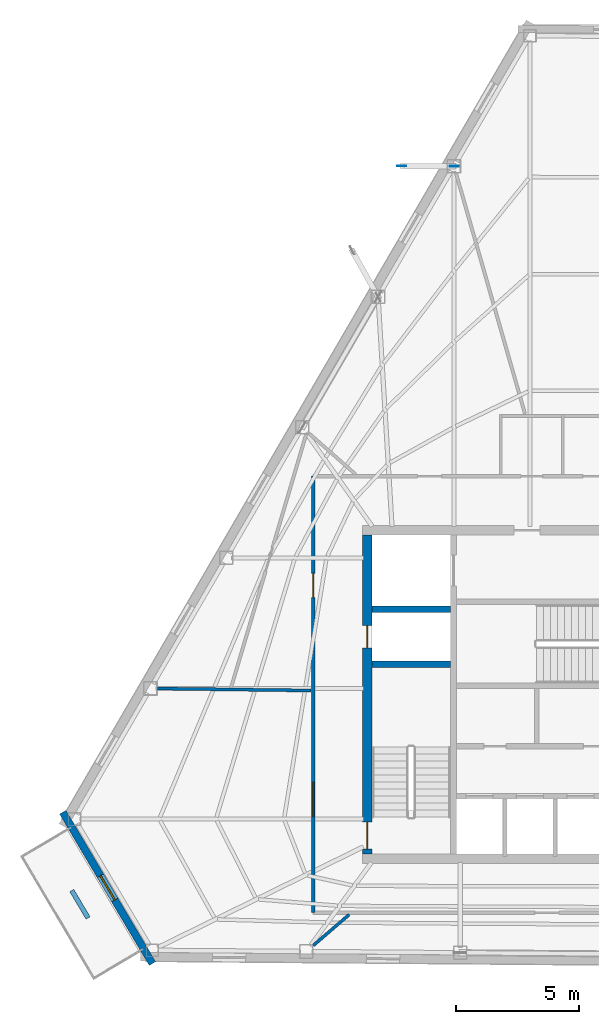
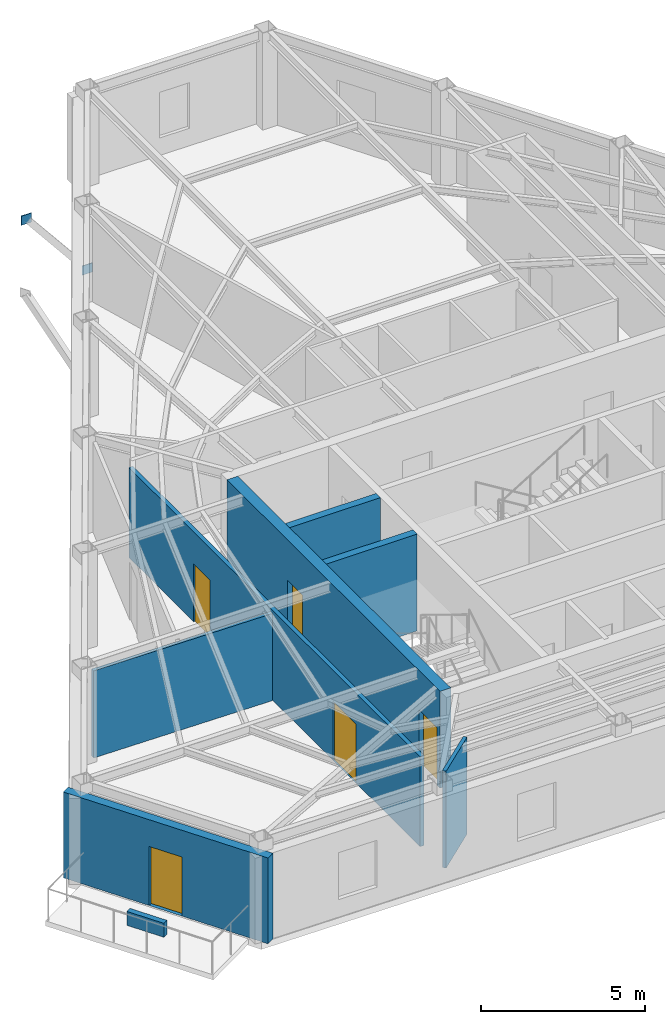
# One storey, part 6 of 10: 8 walls, 5 doors, 2 plates, 5 openings.
"""IFC4 building model written with IfcOpenShell, lengths in metres."""

from ifc_helpers import new_model, si_unit, direction, frame, frame_2d, origin, origin_2d, place, context, subcontext, project, spatial, rectangle, extrude, material, layer, layer_set, type_object, element, fill, save


model = new_model("IFC4")

# Units and contexts
model_context = context("Model", 3, precision=1e-05, world=origin(), true_north=direction((0.0, 1.0)))
body_context = subcontext(model_context, "Body", "Model", "MODEL_VIEW")
ifc_project = project(units=[si_unit("LENGTHUNIT", "METRE"), si_unit("AREAUNIT", "SQUARE_METRE"), si_unit("VOLUMEUNIT", "CUBIC_METRE"), si_unit("PLANEANGLEUNIT", "RADIAN"), si_unit("MASSUNIT", "GRAM", prefix="KILO")], contexts=[model_context])

# Site, building, storey
site_placement = place(None, origin())
site = spatial("IfcSite", under=ifc_project, at=site_placement, CompositionType="ELEMENT")
building_placement = place(site_placement, origin())
building = spatial("IfcBuilding", under=site, at=building_placement, Name="Kavelnor Concourse Tower", CompositionType="ELEMENT")
storey_placement = place(building_placement, frame((0.0, 0.0, 266.449951171875)))
storey = spatial("IfcBuildingStorey", under=building, at=storey_placement, Name="L67", CompositionType="ELEMENT", Elevation=266.449951171875)

# Plates
ifc_material_1 = material(Name="Steel Grade 350", Category="steel")
ifc_layer_1 = layer(ifc_material_1, 0.028076171875, Name="Steel Grade 350")
ifc_layer_set_1 = layer_set([ifc_layer_1], Name="Steel Grade 350")
plate_type = type_object("IfcPlateType", Name="PL-GUSSET-FOLD", PredefinedType="USERDEFINED", material=ifc_layer_set_1)
for number, where, z_axis, x_axis, name in (
    (1, (31.8408203125, 37.618896484375, 0.8798828125), (0.0, 0.0, 1.0), (-0.999995065202, 0.003141587486, 0.0), "L67 Balcony Strut Gusset GP4 2-A End Gusset A"),
    (2, (29.698974609375, 37.625732421875, 3.48486328125), (0.0, 0.0, 1.0), (-0.999995065202, 0.003141587486, 0.0), "L67 Balcony Strut Gusset GP4 2-A End Gusset B"),
):
    element("IfcPlate", number, at=place(storey_placement, frame(where, z_axis=z_axis, x_axis=x_axis)), inside=storey, type_object=plate_type, Name=name, ObjectType="GUSSET_PLATE", PredefinedType="USERDEFINED", context=body_context, shape_type="SweptSolid", body=[
        extrude(rectangle(XDim=0.360107421875, YDim=0.028076171875, at=origin_2d()), origin(), (0.0, 0.0, 1.0), 0.340087890625),
    ])

# Wall, openings, doors
ifc_material_2 = material(Name="Concrete C50/60", Category="concrete")
ifc_layer_2 = layer(ifc_material_2, 0.3798828125, Name="Concrete C50/60")
ifc_layer_set_2 = layer_set([ifc_layer_2], Name="Concrete C50/60")
wall_type_1 = type_object("IfcWallType", Name="WL-CORE-Z4-380", PredefinedType="SOLIDWALL", material=ifc_layer_set_2)
wall_1_placement = place(storey_placement, frame((28.2900390625, 9.60009765625, 0.0), z_axis=(0.0, 0.0, 1.0), x_axis=(0.0, 1.0, 0.0)))
wall_1 = element("IfcWall", 3, at=wall_1_placement, inside=storey, type_object=wall_type_1, Name="L67 Central Core West Shear Wall", PredefinedType="SOLIDWALL", context=body_context, shape_type="SweptSolid", body=[
    extrude(rectangle(XDim=13.0, YDim=0.3798828125, at=frame_2d((6.5, 0.0))), origin(), (0.0, 0.0, 1.0), 3.610107421875),
])
opening_1_placement = place(wall_1_placement, frame((0.199951171875, 0.0, 0.0)))
opening_1 = element("IfcOpeningElement", 4, at=opening_1_placement, cuts=wall_1, Name="Opening FD-110", PredefinedType="OPENING", context=body_context, shape_type="SweptSolid", body=[
    extrude(rectangle(XDim=1.10009765625, YDim=2.14990234375, at=frame_2d((0.550048828125, 1.074951171875))), frame((0.0, 0.199951171875, 0.0), z_axis=(0.0, -1.0, 0.0), x_axis=(1.0, 0.0, 0.0)), (0.0, 0.0, 1.0), 0.39990234375),
])
opening_2_placement = place(wall_1_placement, frame((8.39990234375, 0.0, 0.0)))
opening_2 = element("IfcOpeningElement", 5, at=opening_2_placement, cuts=wall_1, Name="Opening FD-090", PredefinedType="OPENING", context=body_context, shape_type="SweptSolid", body=[
    extrude(rectangle(XDim=0.89990234375, YDim=2.10009765625, at=frame_2d((0.449951171875, 1.050048828125))), frame((0.0, 0.199951171875, 0.0), z_axis=(0.0, -1.0, 0.0), x_axis=(1.0, 0.0, 0.0)), (0.0, 0.0, 1.0), 0.39990234375),
])
door_type_1 = type_object("IfcDoorType", Name="DR-RISER-FIRE-900", OperationType="NOTDEFINED", PredefinedType="DOOR", material=ifc_material_1)
door_1_placement = place(opening_2_placement, origin())
door_1 = element("IfcDoor", 6, at=door_1_placement, inside=storey, type_object=door_type_1, Name="L67 West Riser Access Door", OperationType="SINGLE_SWING_RIGHT", OverallHeight=2.10009765625, OverallWidth=0.89990234375, PredefinedType="DOOR", context=body_context, shape_type="SweptSolid", body=[
    extrude(rectangle(XDim=0.89990234375, YDim=2.10009765625, at=frame_2d((0.449951171875, 1.050048828125))), frame((0.0, 0.02490234375, 0.0), z_axis=(0.0, -1.0, 0.0), x_axis=(1.0, 0.0, 0.0)), (0.0, 0.0, 1.0), 0.050048828125),
])
fill(opening_2, door_1)
door_type_2 = type_object("IfcDoorType", Name="DR-STAIR-FIRE-1100", OperationType="NOTDEFINED", PredefinedType="DOOR", material=ifc_material_1)
door_2_placement = place(opening_1_placement, origin())
door_2 = element("IfcDoor", 7, at=door_2_placement, inside=storey, type_object=door_type_2, Name="L67 Stair ST1 Fire Door", OperationType="SINGLE_SWING_LEFT", OverallHeight=2.14990234375, OverallWidth=1.10009765625, PredefinedType="DOOR", context=body_context, shape_type="SweptSolid", body=[
    extrude(rectangle(XDim=1.10009765625, YDim=2.14990234375, at=frame_2d((0.550048828125, 1.074951171875))), frame((0.0, 0.02490234375, 0.0), z_axis=(0.0, -1.0, 0.0), x_axis=(1.0, 0.0, 0.0)), (0.0, 0.0, 1.0), 0.050048828125),
])
fill(opening_1, door_2)

# Wall, opening, door
ifc_material_3 = material(Name="Buff ironspot clay face brick masonry", Category="masonry")
ifc_layer_3 = layer(ifc_material_3, 0.300048828125, Name="Buff ironspot clay face brick masonry")
ifc_layer_set_3 = layer_set([ifc_layer_3], Name="Buff ironspot clay face brick masonry")
wall_type_2 = type_object("IfcWallType", Name="WL-EXT-BUFF-BRICK-FOLD-300", PredefinedType="STANDARD", material=ifc_layer_set_3)
wall_2_placement = place(storey_placement, frame((19.543701171875, 5.13427734375, 0.0), z_axis=(0.0, 0.0, 1.0), x_axis=(-0.509478402486, 0.860483444001, 0.0)))
wall_2 = element("IfcWall", 8, at=wall_2_placement, inside=storey, type_object=wall_type_2, Name="L67 Exterior Brick Facade Wall E2", PredefinedType="STANDARD", context=body_context, shape_type="SweptSolid", body=[
    extrude(rectangle(XDim=7.168212890625, YDim=0.300048828125, at=frame_2d((3.583984375, 0.0))), origin(), (0.0, 0.0, 1.0), 3.196044921875),
])
opening_3_placement = place(wall_2_placement, frame((3.00927734375, 0.0, 0.0)))
opening_3 = element("IfcOpeningElement", 9, at=opening_3_placement, cuts=wall_2, Name="Opening TD-115", PredefinedType="OPENING", context=body_context, shape_type="SweptSolid", body=[
    extrude(rectangle(XDim=1.14990234375, YDim=2.199951171875, at=frame_2d((0.574951171875, 1.10009765625))), frame((0.0, 0.16015625, 0.0), z_axis=(0.0, -1.0, 0.0), x_axis=(1.0, 0.0, 0.0)), (0.0, 0.0, 1.0), 0.320068359375),
])
ifc_material_4 = material(Name="Anodised aluminium 6063-T6", Category="aluminium")
door_type_3 = type_object("IfcDoorType", Name="DR-TERRACE-EXT-1150", OperationType="NOTDEFINED", PredefinedType="DOOR", material=ifc_material_4)
door_3_placement = place(opening_3_placement, origin())
door_3 = element("IfcDoor", 10, at=door_3_placement, inside=storey, type_object=door_type_3, Name="L67 Spiral Sky Terrace Access Door", OperationType="SINGLE_SWING_RIGHT", OverallHeight=2.199951171875, OverallWidth=1.14990234375, PredefinedType="DOOR", context=body_context, shape_type="SweptSolid", body=[
    extrude(rectangle(XDim=1.14990234375, YDim=2.199951171875, at=frame_2d((0.574951171875, 1.10009765625))), frame((0.0, 0.02490234375, 0.0), z_axis=(0.0, -1.0, 0.0), x_axis=(1.0, 0.0, 0.0)), (0.0, 0.0, 1.0), 0.050048828125),
])
fill(opening_3, door_3)

# Wall, openings, doors
ifc_material_5 = material(Name="Gypsum plasterboard on light-gauge steel studs", Category="steel")
ifc_layer_4 = layer(ifc_material_5, 0.14501953125, Name="Gypsum plasterboard on light-gauge steel studs")
ifc_layer_set_4 = layer_set([ifc_layer_4], Name="Gypsum plasterboard on light-gauge steel studs")
wall_type_3 = type_object("IfcWallType", Name="WL-INT-CORR-145", PredefinedType="PARTITIONING", material=ifc_layer_set_4)
wall_3_placement = place(storey_placement, frame((26.090087890625, 7.2099609375, 0.0), z_axis=(0.0, 0.0, 1.0), x_axis=(0.0, 1.0, 0.0)))
wall_3 = element("IfcWall", 11, at=wall_3_placement, inside=storey, type_object=wall_type_3, Name="L67 Corridor Wall WL-L67-CR-10", PredefinedType="PARTITIONING", context=body_context, shape_type="SweptSolid", body=[
    extrude(rectangle(XDim=17.780029296875, YDim=0.14501953125, at=frame_2d((8.89013671875, 0.0))), origin(), (0.0, 0.0, 1.0), 3.34912109375),
])
opening_4_placement = place(wall_3_placement, frame((12.83837890625, 0.0, 0.0)))
opening_4 = element("IfcOpeningElement", 12, at=opening_4_placement, cuts=wall_3, Name="Opening OD-098", PredefinedType="OPENING", context=body_context, shape_type="SweptSolid", body=[
    extrude(rectangle(XDim=0.97998046875, YDim=2.14990234375, at=frame_2d((0.489990234375, 1.074951171875))), frame((0.0, 0.08251953125, 0.0), z_axis=(0.0, -1.0, 0.0), x_axis=(1.0, 0.0, 0.0)), (0.0, 0.0, 1.0), 0.1650390625),
])
opening_5_placement = place(wall_3_placement, frame((3.90966796875, 0.0, 0.0)))
opening_5 = element("IfcOpeningElement", 13, at=opening_5_placement, cuts=wall_3, Name="Opening SD-140", PredefinedType="OPENING", context=body_context, shape_type="SweptSolid", body=[
    extrude(rectangle(XDim=1.39990234375, YDim=2.199951171875, at=frame_2d((0.699951171875, 1.10009765625))), frame((0.0, 0.08251953125, 0.0), z_axis=(0.0, -1.0, 0.0), x_axis=(1.0, 0.0, 0.0)), (0.0, 0.0, 1.0), 0.1650390625),
])
ifc_material_6 = material(Name="Solid-core hardwood timber", Category="wood")
door_type_4 = type_object("IfcDoorType", Name="DR-OFFICE-980", OperationType="NOTDEFINED", PredefinedType="DOOR", material=ifc_material_6)
door_4_placement = place(opening_4_placement, origin())
door_4 = element("IfcDoor", 14, at=door_4_placement, inside=storey, type_object=door_type_4, Name="L67 Client Concierge 04 Door", OperationType="SINGLE_SWING_RIGHT", OverallHeight=2.14990234375, OverallWidth=0.97998046875, PredefinedType="DOOR", context=body_context, shape_type="SweptSolid", body=[
    extrude(rectangle(XDim=0.97998046875, YDim=2.14990234375, at=frame_2d((0.489990234375, 1.074951171875))), frame((0.0, 0.02490234375, 0.0), z_axis=(0.0, -1.0, 0.0), x_axis=(1.0, 0.0, 0.0)), (0.0, 0.0, 1.0), 0.050048828125),
])
fill(opening_4, door_4)
door_type_5 = type_object("IfcDoorType", Name="DR-SUITE-ENTRY-1400", OperationType="NOTDEFINED", PredefinedType="DOOR", material=ifc_material_6)
door_5_placement = place(opening_5_placement, origin())
door_5 = element("IfcDoor", 15, at=door_5_placement, inside=storey, type_object=door_type_5, Name="L67 Client Concierge 06 Door", OperationType="SINGLE_SWING_RIGHT", OverallHeight=2.199951171875, OverallWidth=1.39990234375, PredefinedType="DOOR", context=body_context, shape_type="SweptSolid", body=[
    extrude(rectangle(XDim=1.39990234375, YDim=2.199951171875, at=frame_2d((0.699951171875, 1.10009765625))), frame((0.0, 0.02490234375, 0.0), z_axis=(0.0, -1.0, 0.0), x_axis=(1.0, 0.0, 0.0)), (0.0, 0.0, 1.0), 0.050048828125),
])
fill(opening_5, door_5)

# Walls
ifc_layer_5 = layer(ifc_material_5, 0.125, Name="Gypsum plasterboard on light-gauge steel studs")
ifc_layer_set_5 = layer_set([ifc_layer_5], Name="Gypsum plasterboard on light-gauge steel studs")
wall_type_4 = type_object("IfcWallType", Name="WL-INT-SUITE-125", PredefinedType="PARTITIONING", material=ifc_layer_set_5)
wall_4_placement = place(storey_placement, frame((26.009521484375, 16.258056640625, 0.0), z_axis=(0.0, 0.0, 1.0), x_axis=(-0.99991313536, 0.013180354097, 0.0)))
element("IfcWall", 16, at=wall_4_placement, inside=storey, type_object=wall_type_4, Name="L67 Radial Suite Partition 05", PredefinedType="PARTITIONING", context=body_context, shape_type="SweptSolid", body=[
    extrude(rectangle(XDim=6.2607421875, YDim=0.125, at=frame_2d((3.13037109375, 0.0))), origin(), (0.0, 0.0, 1.0), 3.24609375),
])
wall_5_placement = place(storey_placement, frame((27.558837890625, 7.12939453125, 0.0), z_axis=(0.0, 0.0, 1.0), x_axis=(-0.758522289578, -0.65164709484, 0.0)))
element("IfcWall", 17, at=wall_5_placement, inside=storey, type_object=wall_type_4, Name="L67 Radial Suite Partition 06", PredefinedType="PARTITIONING", context=body_context, shape_type="SweptSolid", body=[
    extrude(rectangle(XDim=1.92578125, YDim=0.125, at=frame_2d((0.962890625, 0.0))), origin(), (0.0, 0.0, 1.0), 3.610107421875),
])
ifc_material_7 = material(Name="Architectural precast planter concrete C40/50", Category="concrete")
ifc_layer_6 = layer(ifc_material_7, 0.18994140625, Name="Architectural precast planter concrete C40/50")
ifc_layer_set_6 = layer_set([ifc_layer_6], Name="Architectural precast planter concrete C40/50")
wall_type_5 = type_object("IfcWallType", Name="WL-PLANTER-KERB-190", PredefinedType="USERDEFINED", material=ifc_layer_set_6)
wall_6_placement = place(storey_placement, frame((16.25927734375, 8.1103515625, 0.0), z_axis=(0.0, 0.0, 1.0), x_axis=(0.509488347534, -0.860477555621, 0.0)))
element("IfcWall", 18, at=wall_6_placement, inside=storey, type_object=wall_type_5, Name="L67 Spiral Terrace Landscaped Planter Kerb", ObjectType="PLANTER", PredefinedType="USERDEFINED", context=body_context, shape_type="SweptSolid", body=[
    extrude(rectangle(XDim=1.300048828125, YDim=0.18994140625, at=frame_2d((0.64990234375, 0.0))), origin(), (0.0, 0.0, 1.0), 0.52001953125),
])
ifc_layer_7 = layer(ifc_material_2, 0.260009765625, Name="Concrete C50/60")
ifc_layer_set_7 = layer_set([ifc_layer_7], Name="Concrete C50/60")
wall_type_6 = type_object("IfcWallType", Name="WL-SHAFT-260", PredefinedType="SHEAR", material=ifc_layer_set_7)
for number, where, z_axis, x_axis, name in (
    (19, (28.47998046875, 17.330078125, 0.0), (0.0, 0.0, 1.0), (1.0, 0.0, 0.0), "L67 Stair ST1 North Shaft Wall"),
    (20, (28.47998046875, 19.570068359375, 0.0), (0.0, 0.0, 1.0), (1.0, 0.0, 0.0), "L67 Emergency Lift FL1 South Shaft Wall"),
):
    element("IfcWall", number, at=place(storey_placement, frame(where, z_axis=z_axis, x_axis=x_axis)), inside=storey, type_object=wall_type_6, Name=name, PredefinedType="SHEAR", context=body_context, shape_type="SweptSolid", body=[
        extrude(rectangle(XDim=3.199951171875, YDim=0.260009765625, at=frame_2d((1.60009765625, 0.0))), origin(), (0.0, 0.0, 1.0), 3.610107421875),
    ])

save(model, "model.ifc")
